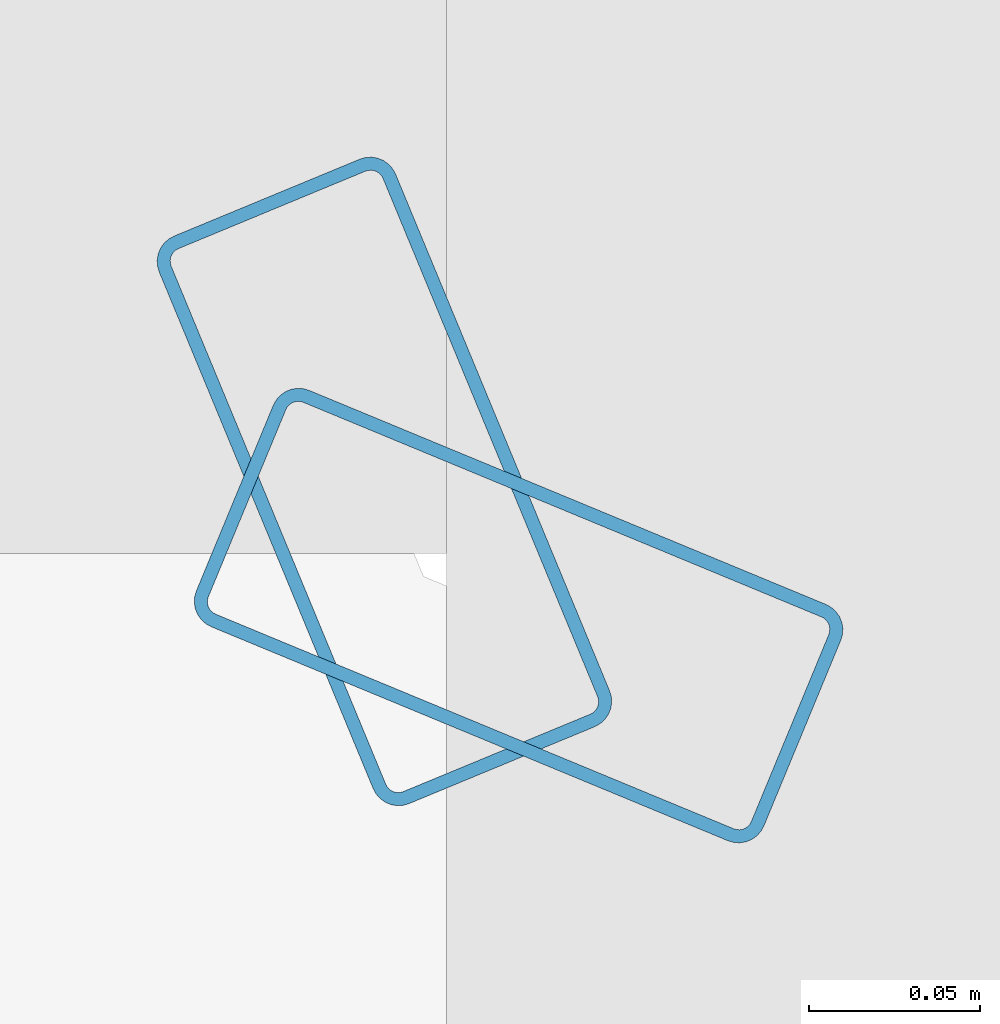
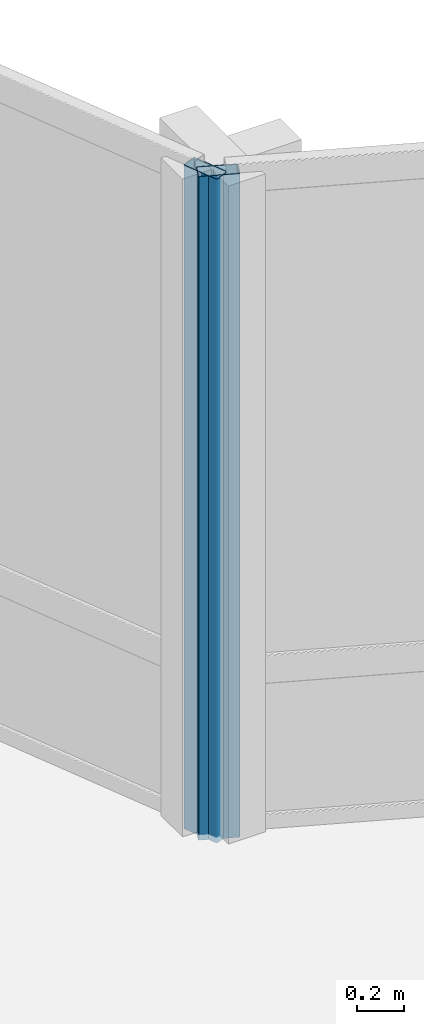
# One storey, part 8 of 34: 2 members, 2 elements without a shape of their own.
"""IFC4 building model written with IfcOpenShell, lengths in metres."""

from ifc_helpers import new_model, si_unit, direction, frame, origin, origin_2d, place, context, subcontext, project, spatial, hollow_rectangle, extrude, material, layer, layer_set, material_profile, profile_set, type_object, element, aggregate, save


model = new_model("IFC4")

# Units and contexts
model_context = context("Model", 3, precision=1e-05, world=origin(), true_north=direction((0.0, 1.0)))
body_context = subcontext(model_context, "Body", "Model", "MODEL_VIEW")
ifc_project = project(units=[si_unit("LENGTHUNIT", "METRE"), si_unit("AREAUNIT", "SQUARE_METRE"), si_unit("VOLUMEUNIT", "CUBIC_METRE"), si_unit("PLANEANGLEUNIT", "RADIAN"), si_unit("MASSUNIT", "GRAM", prefix="KILO")], contexts=[model_context])

# Site, building, storey
site_placement = place(None, origin())
site = spatial("IfcSite", under=ifc_project, at=site_placement, CompositionType="ELEMENT")
building_placement = place(site_placement, origin())
building = spatial("IfcBuilding", under=site, at=building_placement, Name="Solvaryn Broadcast Tower", CompositionType="ELEMENT")
storey_placement = place(building_placement, frame((0.0, 0.0, 47.10009765625)))
storey = spatial("IfcBuildingStorey", under=building, at=storey_placement, Name="L10", CompositionType="ELEMENT", Elevation=47.10009765625)

# Curtain wall, member
ifc_material_1 = material(Name="Aluminium and Terracotta Unitised Curtain Wall", Category="masonry")
ifc_layer = layer(ifc_material_1, 0.199951171875)
ifc_layer_set = layer_set([ifc_layer], Name="CW-SYS2-LOWMID")
curtain_wall_type = type_object("IfcCurtainWallType", Name="CW-SYS2-LOWMID", PredefinedType="NOTDEFINED", material=ifc_layer_set)
curtain_wall_1_placement = place(storey_placement, origin())
curtain_wall_1 = element("IfcCurtainWall", 1, at=curtain_wall_1_placement, inside=storey, type_object=curtain_wall_type, Name="L10 Curtain Wall CN1", PredefinedType="NOTDEFINED")
ifc_material_2 = material(Name="Anodised Aluminium 6063-T6", Category="aluminium")
ifc_material_profile = material_profile(ifc_material_2, hollow_rectangle(XDim=0.074951171875, YDim=0.179931640625, WallThickness=0.00390625, InnerFilletRadius=0.00390625, OuterFilletRadius=0.008056640625, at=origin_2d()))
ifc_profile_set = profile_set([ifc_material_profile], Name="Anodised Aluminium 6063-T6")
member_type = type_object("IfcMemberType", Name="CW-MUL-180", PredefinedType="MULLION", material=ifc_profile_set)
member_1_placement = place(storey_placement, frame((30.395751953125, 30.3564453125, 0.0), z_axis=(0.0, 0.0, 1.0), x_axis=(-0.382646127145, -0.923894983957, 0.0)))
member_1 = element("IfcMember", 2, at=member_1_placement, type_object=member_type, Name="CWS2 mullion 2", PredefinedType="MULLION", context=body_context, shape_type="SweptSolid", body=[
    extrude(hollow_rectangle(XDim=0.074951171875, YDim=0.179931640625, WallThickness=0.00390625, InnerFilletRadius=0.00390625, OuterFilletRadius=0.008056640625, at=origin_2d()), origin(), (0.0, 0.0, 1.0), 3.419921875),
])
aggregate(curtain_wall_1, [member_1])

curtain_wall_2_placement = place(storey_placement, origin())
curtain_wall_2 = element("IfcCurtainWall", 3, at=curtain_wall_2_placement, inside=storey, type_object=curtain_wall_type, Name="L10 Curtain Wall CN2", PredefinedType="NOTDEFINED")
member_2_placement = place(storey_placement, frame((30.3564453125, 30.395751953125, 0.0), z_axis=(0.0, 0.0, 1.0), x_axis=(-0.923894983957, -0.382646127145, 0.0)))
member_2 = element("IfcMember", 4, at=member_2_placement, type_object=member_type, Name="CWS2 mullion 1", PredefinedType="MULLION", context=body_context, shape_type="SweptSolid", body=[
    extrude(hollow_rectangle(XDim=0.074951171875, YDim=0.179931640625, WallThickness=0.00390625, InnerFilletRadius=0.00390625, OuterFilletRadius=0.008056640625, at=origin_2d()), origin(), (0.0, 0.0, 1.0), 3.419921875),
])
aggregate(curtain_wall_2, [member_2])

save(model, "model.ifc")
